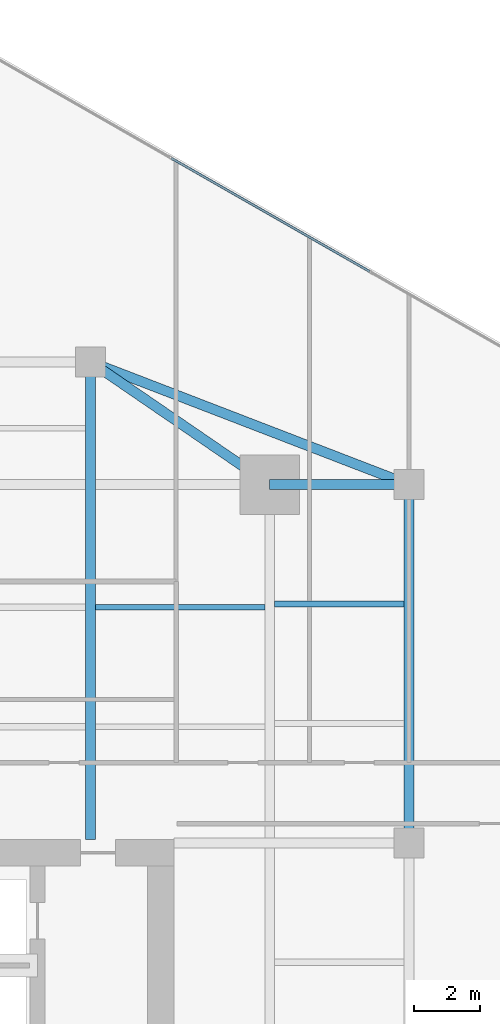
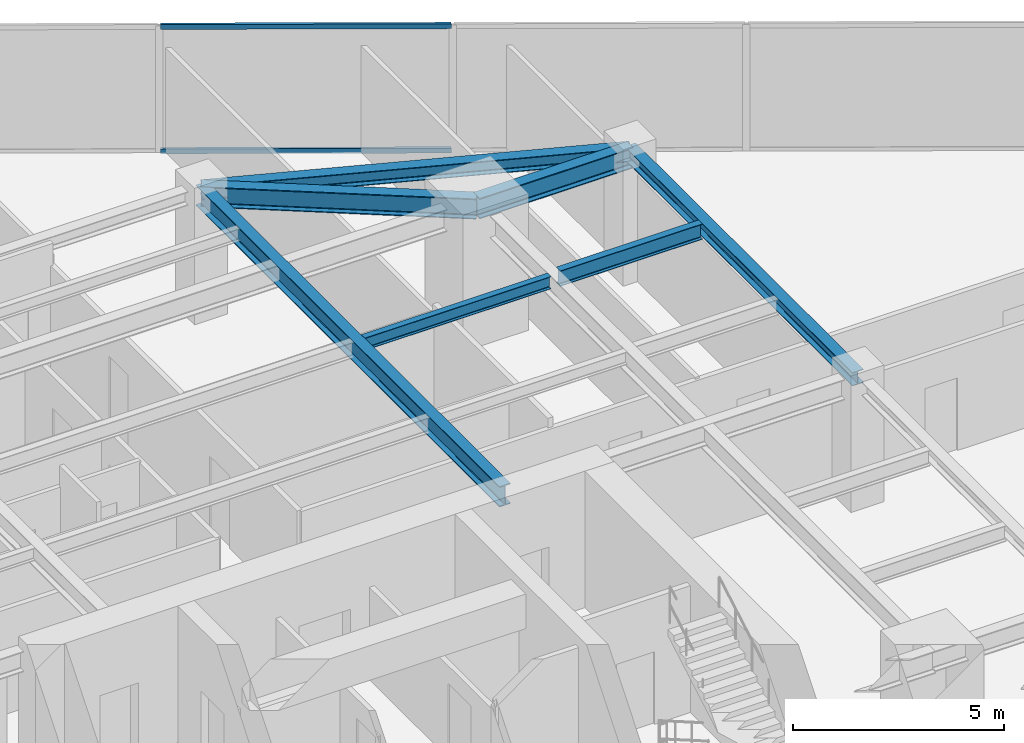
# One storey, part 16 of 24: 7 beams, 2 members, 1 element without a shape of its own.
"""IFC4 building model written with IfcOpenShell, lengths in metres."""

from ifc_helpers import new_model, si_unit, direction, frame, origin, origin_2d, place, context, subcontext, project, spatial, hollow_rectangle, i_section, extrude, source, transform, mapped, material, material_profile, profile_set, type_object, type_shapes, element, aggregate, save


model = new_model("IFC4")

# Units and contexts
model_context = context("Model", 3, precision=1e-05, world=origin(), true_north=direction((0.0, 1.0)))
body_context = subcontext(model_context, "Body", "Model", "MODEL_VIEW")
ifc_project = project(units=[si_unit("LENGTHUNIT", "METRE"), si_unit("AREAUNIT", "SQUARE_METRE"), si_unit("VOLUMEUNIT", "CUBIC_METRE"), si_unit("PLANEANGLEUNIT", "RADIAN"), si_unit("MASSUNIT", "GRAM", prefix="KILO")], contexts=[model_context])

# Site, building, storey
site_placement = place(None, origin())
site = spatial("IfcSite", under=ifc_project, at=site_placement, CompositionType="ELEMENT")
building_placement = place(site_placement, origin())
building = spatial("IfcBuilding", under=site, at=building_placement, Name="Krantzveldt Concourse Tower", CompositionType="ELEMENT")
storey_placement = place(building_placement, frame((0.0, 0.0, 165.949951171875)))
storey = spatial("IfcBuildingStorey", under=building, at=storey_placement, Name="L40", CompositionType="ELEMENT", Elevation=165.949951171875)

# Beams
ifc_material_1 = material(Name="Steel S355JR", Category="steel")
ifc_material_profile_1 = material_profile(ifc_material_1, i_section(OverallWidth=0.300048828125, OverallDepth=0.590087890625, WebThickness=0.012939453125, FlangeThickness=0.02490234375, FilletRadius=0.027099609375, at=origin_2d()), Name="Steel S355JR", Category="steel")
ifc_profile_set_1 = profile_set([ifc_material_profile_1], Name="Steel S355JR - HEA 600")
beam_type_1 = type_object("IfcBeamType", Name="BM-B-HEA600", PredefinedType="BEAM", material=ifc_profile_set_1)
shared_shape_1 = source(origin(), body_context, "Body", "SweptSolid", [
    extrude(i_section(OverallWidth=0.300048828125, OverallDepth=0.590087890625, WebThickness=0.012939453125, FlangeThickness=0.02490234375, FilletRadius=0.027099609375, at=origin_2d()), origin(), (0.0, 0.0, 1.0), 14.39990234375),
])
beam_1_placement = place(storey_placement, frame((41.39990234375, 26.800048828125, 3.375), z_axis=(0.0, 1.0, 0.0), x_axis=(-1.0, 0.0, 0.0)))
element("IfcBeam", 1, at=beam_1_placement, inside=storey, type_object=beam_type_1, Name="L40 Tower Girder BG-CNE", PredefinedType="BEAM", context=body_context, shape_type="MappedRepresentation", body=[
    mapped(shared_shape_1, transform((0.0, 0.0, 0.0), x_axis=(1.0, 0.0, 0.0), y_axis=(0.0, 1.0, 0.0), z_axis=(0.0, 0.0, 1.0), scale=1.0)),
])
shared_shape_2 = source(origin(), body_context, "Body", "SweptSolid", [
    extrude(i_section(OverallWidth=0.300048828125, OverallDepth=0.590087890625, WebThickness=0.012939453125, FlangeThickness=0.02490234375, FilletRadius=0.027099609375, at=origin_2d()), origin(), (0.0, 0.0, 1.0), 4.199951171875),
])
beam_2_placement = place(storey_placement, frame((46.800048828125, 37.5, 3.375), z_axis=(1.0, 0.0, 0.0), x_axis=(0.0, 1.0, 0.0)))
element("IfcBeam", 2, at=beam_2_placement, inside=storey, type_object=beam_type_1, Name="L40 Tower Girder BR-RR3", PredefinedType="BEAM", context=body_context, shape_type="MappedRepresentation", body=[
    mapped(shared_shape_2, transform((0.0, 0.0, 0.0), x_axis=(1.0, 0.0, 0.0), y_axis=(0.0, 1.0, 0.0), z_axis=(0.0, 0.0, 1.0), scale=1.0)),
])
shared_shape_3 = source(origin(), body_context, "Body", "SweptSolid", [
    extrude(i_section(OverallWidth=0.300048828125, OverallDepth=0.590087890625, WebThickness=0.012939453125, FlangeThickness=0.02490234375, FilletRadius=0.027099609375, at=origin_2d()), origin(), (0.0, 0.0, 1.0), 6.546142578125),
])
type_shapes(beam_type_1, [shared_shape_1, shared_shape_2, shared_shape_3])
beam_3_placement = place(storey_placement, frame((46.800048828125, 37.5, 3.375), z_axis=(-0.824942999484, 0.565215930068, 0.0), x_axis=(-0.565215930068, -0.824942999484, 0.0)))
element("IfcBeam", 3, at=beam_3_placement, inside=storey, type_object=beam_type_1, Name="L40 Tower Girder BR-RR4", PredefinedType="BEAM", context=body_context, shape_type="MappedRepresentation", body=[
    mapped(shared_shape_3, transform((0.0, 0.0, 0.0), x_axis=(1.0, 0.0, 0.0), y_axis=(0.0, 1.0, 0.0), z_axis=(0.0, 0.0, 1.0), scale=1.0)),
])
ifc_material_profile_2 = material_profile(ifc_material_1, i_section(OverallWidth=0.300048828125, OverallDepth=0.389892578125, WebThickness=0.010986328125, FlangeThickness=0.01904296875, FilletRadius=0.027099609375, at=origin_2d()), Name="Steel S355JR", Category="steel")
ifc_profile_set_2 = profile_set([ifc_material_profile_2], Name="Steel S355JR - HEA 400")
beam_type_2 = type_object("IfcBeamType", Name="BM-SP-HEA400", PredefinedType="SPANDREL", material=ifc_profile_set_2)
shared_shape_4 = source(origin(), body_context, "Body", "SweptSolid", [
    extrude(i_section(OverallWidth=0.300048828125, OverallDepth=0.389892578125, WebThickness=0.010986328125, FlangeThickness=0.01904296875, FilletRadius=0.027099609375, at=origin_2d()), origin(), (0.0, 0.0, 1.0), 10.800048828125),
])
beam_4_placement = place(storey_placement, frame((51.0, 37.5, 3.47509765625), z_axis=(0.0, -1.0, 0.0), x_axis=(1.0, 0.0, 0.0)))
element("IfcBeam", 4, at=beam_4_placement, inside=storey, type_object=beam_type_2, Name="L40 Tower Girder SP-R06", PredefinedType="SPANDREL", context=body_context, shape_type="MappedRepresentation", body=[
    mapped(shared_shape_4, transform((0.0, 0.0, 0.0), x_axis=(1.0, 0.0, 0.0), y_axis=(0.0, 1.0, 0.0), z_axis=(0.0, 0.0, 1.0), scale=1.0)),
])
shared_shape_5 = source(origin(), body_context, "Body", "SweptSolid", [
    extrude(i_section(OverallWidth=0.300048828125, OverallDepth=0.389892578125, WebThickness=0.010986328125, FlangeThickness=0.01904296875, FilletRadius=0.027099609375, at=origin_2d()), origin(), (0.0, 0.0, 1.0), 10.288330078125),
])
type_shapes(beam_type_2, [shared_shape_4, shared_shape_5])
beam_5_placement = place(storey_placement, frame((41.39990234375, 41.199951171875, 3.47509765625), z_axis=(0.933097690408, -0.359622997257, 0.0), x_axis=(0.359622997257, 0.933097690408, 0.0)))
element("IfcBeam", 5, at=beam_5_placement, inside=storey, type_object=beam_type_2, Name="L40 Tower Girder SP-R05", PredefinedType="SPANDREL", context=body_context, shape_type="MappedRepresentation", body=[
    mapped(shared_shape_5, transform((0.0, 0.0, 0.0), x_axis=(1.0, 0.0, 0.0), y_axis=(0.0, 1.0, 0.0), z_axis=(0.0, 0.0, 1.0), scale=1.0)),
])
ifc_material_profile_3 = material_profile(ifc_material_1, i_section(OverallWidth=0.169921875, OverallDepth=0.360107421875, WebThickness=0.008056640625, FlangeThickness=0.0126953125, FilletRadius=0.01806640625, at=origin_2d()), Name="Steel S355JR", Category="steel")
ifc_profile_set_3 = profile_set([ifc_material_profile_3], Name="Steel S355JR - IPE 360")
beam_type_3 = type_object("IfcBeamType", Name="BM-J-IPE360", PredefinedType="JOIST", material=ifc_profile_set_3)
shared_shape_6 = source(origin(), body_context, "Body", "SweptSolid", [
    extrude(i_section(OverallWidth=0.169921875, OverallDepth=0.360107421875, WebThickness=0.008056640625, FlangeThickness=0.0126953125, FilletRadius=0.01806640625, at=origin_2d()), origin(), (0.0, 0.0, 1.0), 5.099853515625),
])
type_shapes(beam_type_3, [shared_shape_6])
beam_6_placement = place(storey_placement, frame((41.550048828125, 33.800048828125, 3.489990234375), z_axis=(1.0, 0.0, 0.0), x_axis=(0.0, 1.0, 0.0)))
element("IfcBeam", 6, at=beam_6_placement, inside=storey, type_object=beam_type_3, Name="L40 Secondary Floor Joist JN-E2", PredefinedType="JOIST", context=body_context, shape_type="MappedRepresentation", body=[
    mapped(shared_shape_6, transform((0.0, 0.0, 0.0), x_axis=(1.0, 0.0, 0.0), y_axis=(0.0, 1.0, 0.0), z_axis=(0.0, 0.0, 1.0), scale=1.0)),
])
ifc_material_profile_4 = material_profile(ifc_material_1, i_section(OverallWidth=0.18994140625, OverallDepth=0.449951171875, WebThickness=0.009521484375, FlangeThickness=0.0146484375, FilletRadius=0.02099609375, at=origin_2d()), Name="Steel S355JR", Category="steel")
ifc_profile_set_4 = profile_set([ifc_material_profile_4], Name="Steel S355JR - IPE 450")
beam_type_4 = type_object("IfcBeamType", Name="BM-J-IPE450", PredefinedType="JOIST", material=ifc_profile_set_4)
shared_shape_7 = source(origin(), body_context, "Body", "SweptSolid", [
    extrude(i_section(OverallWidth=0.18994140625, OverallDepth=0.449951171875, WebThickness=0.009521484375, FlangeThickness=0.0146484375, FilletRadius=0.02099609375, at=origin_2d()), origin(), (0.0, 0.0, 1.0), 3.900146484375),
])
type_shapes(beam_type_4, [shared_shape_7])
beam_7_placement = place(storey_placement, frame((46.949951171875, 33.89990234375, 3.445068359375), z_axis=(1.0, 0.0, 0.0), x_axis=(0.0, 1.0, 0.0)))
element("IfcBeam", 7, at=beam_7_placement, inside=storey, type_object=beam_type_4, Name="L40 Secondary Floor Joist JE-4", PredefinedType="JOIST", context=body_context, shape_type="MappedRepresentation", body=[
    mapped(shared_shape_7, transform((0.0, 0.0, 0.0), x_axis=(1.0, 0.0, 0.0), y_axis=(0.0, 1.0, 0.0), z_axis=(0.0, 0.0, 1.0), scale=1.0)),
])

# Curtain wall, members
ifc_material_2 = material(Name="Anodised aluminium 6063-T6", Category="aluminium")
curtain_wall_type = type_object("IfcCurtainWallType", Name="CW3", PredefinedType="USERDEFINED", material=ifc_material_2)
curtain_wall_placement = place(storey_placement, origin())
curtain_wall = element("IfcCurtainWall", 8, at=curtain_wall_placement, inside=storey, type_object=curtain_wall_type, Name="CW-L40-F14", ObjectType="UNITISED CURTAIN WALL", PredefinedType="USERDEFINED")
ifc_material_profile_5 = material_profile(ifc_material_2, hollow_rectangle(XDim=0.070068359375, YDim=0.139892578125, WallThickness=0.0048828125, at=origin_2d()), Name="Anodised aluminium 6063-T6", Category="aluminium")
ifc_profile_set_5 = profile_set([ifc_material_profile_5], Name="Anodised aluminium 6063-T6 - ALU-TRAN 140x70x5")
member_type = type_object("IfcMemberType", Name="CW-TRN-150", PredefinedType="USERDEFINED", material=ifc_profile_set_5)
shared_shape_8 = source(origin(), body_context, "Body", "SweptSolid", [
    extrude(hollow_rectangle(XDim=0.070068359375, YDim=0.139892578125, WallThickness=0.0048828125, at=origin_2d()), origin(), (0.0, 0.0, 1.0), 6.89013671875),
])
type_shapes(member_type, [shared_shape_8])
member_1_placement = place(storey_placement, frame((49.8134765625, 43.926025390625, 0.03515625), z_axis=(-0.868199527911, 0.496215255443, 0.0), x_axis=(-0.496215255443, -0.868199527911, 0.0)))
member_1 = element("IfcMember", 9, at=member_1_placement, type_object=member_type, Name="CW-Z34 transom 3.1", ObjectType="TRANSOM", PredefinedType="USERDEFINED", context=body_context, shape_type="MappedRepresentation", body=[
    mapped(shared_shape_8, transform((0.0, 0.0, 0.0), x_axis=(1.0, 0.0, 0.0), y_axis=(0.0, 1.0, 0.0), z_axis=(0.0, 0.0, 1.0), scale=1.0)),
])
member_2_placement = place(storey_placement, frame((49.8134765625, 43.926025390625, 3.635009765625), z_axis=(-0.868199527911, 0.496215255443, 0.0), x_axis=(-0.496215255443, -0.868199527911, 0.0)))
member_2 = element("IfcMember", 10, at=member_2_placement, type_object=member_type, Name="CW-Z34 transom 3.2", ObjectType="TRANSOM", PredefinedType="USERDEFINED", context=body_context, shape_type="MappedRepresentation", body=[
    mapped(shared_shape_8, transform((0.0, 0.0, 0.0), x_axis=(1.0, 0.0, 0.0), y_axis=(0.0, 1.0, 0.0), z_axis=(0.0, 0.0, 1.0), scale=1.0)),
])
aggregate(curtain_wall, [member_1, member_2])

save(model, "model.ifc")
